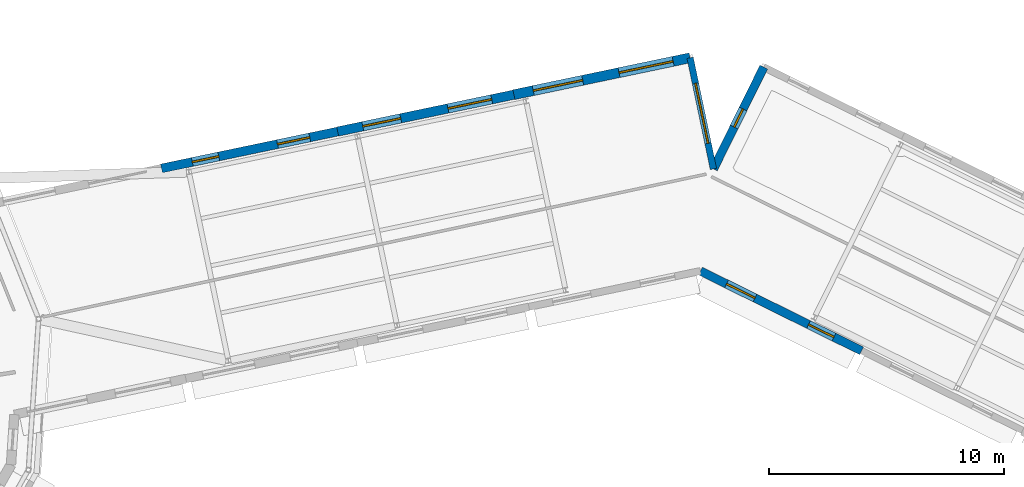
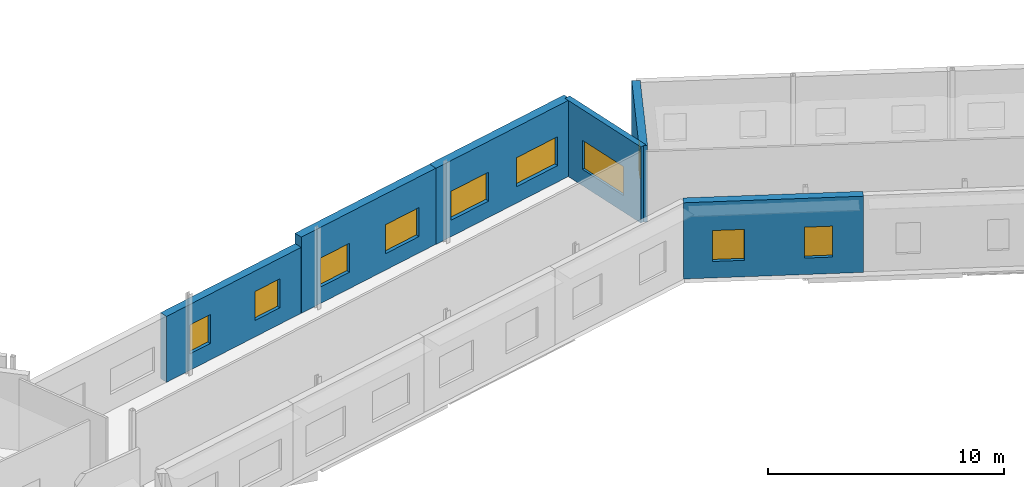
# One storey, part 62 of 90: 10 windows, 6 walls, 10 openings.
"""IFC4 building model written with IfcOpenShell, lengths in metres."""

import ifcopenshell
import ifcopenshell.guid

model = None  # the IFC model being written
_history = None  # IfcOwnerHistory: only IFC2X3 demands one
_inside = {}  # id of a spatial element -> (the spatial element, [elements in it])
_under = {}  # id of a project, library or spatial element -> (it, [spatial elements below it])
_declared = {}  # id of a project -> (the project, [libraries it declares])
_typed = {}  # id of a type object -> (the type object, [elements of that type])
_made_of = {}  # id of a material, layer set ... -> (it, [elements and type objects made of it])


def new_model(schema):
    """Start an empty IFC model of exactly this schema.

    Asked for "IFC4X3", IfcOpenShell would pick the latest addendum, in which some entities
    have other attributes; the version numbers below select the first issue.
    IFC2X3 requires an IfcOwnerHistory on every rooted entity: one is made here for all.
    """
    global model, _history
    if schema == "IFC4X3":
        model = ifcopenshell.file(schema_version=(4, 3, 0, 0))
    else:
        model = ifcopenshell.file(schema=schema)
    _inside.clear()
    _under.clear()
    _declared.clear()
    _typed.clear()
    _made_of.clear()
    _history = None
    if model.schema == "IFC2X3":
        org = make("IfcOrganization", Name="unknown")
        user = make(
            "IfcPersonAndOrganization",
            ThePerson=make("IfcPerson", FamilyName="unknown"),
            TheOrganization=org,
        )
        app = make(
            "IfcApplication",
            ApplicationDeveloper=org,
            Version="unknown",
            ApplicationFullName="unknown",
            ApplicationIdentifier="unknown",
        )
        _history = make(
            "IfcOwnerHistory",
            OwningUser=user,
            OwningApplication=app,
            ChangeAction="ADDED",
            CreationDate=0,
        )
    return model


def make(cls, **values):
    """One entity of the class cls with the attributes given. An attribute that is None is left unset."""
    return model.create_entity(
        cls, **{name: value for name, value in values.items() if value is not None}
    )


def rooted(cls, **values):
    """An entity with a GlobalId (a new one), such as an element, a storey or a relation."""
    return make(cls, GlobalId=ifcopenshell.guid.new(), OwnerHistory=_history, **values)


def si_unit(unit_type, name, prefix=None):
    """IfcSIUnit, for example si_unit("LENGTHUNIT", "METRE", prefix="MILLI")."""
    return make("IfcSIUnit", UnitType=unit_type, Prefix=prefix, Name=name)


def assignment(units):
    """IfcUnitAssignment: the units of a project."""
    return None if units is None else make("IfcUnitAssignment", Units=units)


def point(xyz):
    """IfcCartesianPoint."""
    return None if xyz is None else make("IfcCartesianPoint", Coordinates=xyz)


def direction(xyz):
    """IfcDirection."""
    return None if xyz is None else make("IfcDirection", DirectionRatios=xyz)


def frame(location, z_axis=None, x_axis=None):
    """IfcAxis2Placement3D, a coordinate frame: its origin and axes. An axis left out is left unset."""
    return make(
        "IfcAxis2Placement3D",
        Location=point(location),
        Axis=direction(z_axis),
        RefDirection=direction(x_axis),
    )


def frame_2d(location, x_axis=None):
    """IfcAxis2Placement2D, a coordinate frame in the plane: its origin and x axis."""
    return make(
        "IfcAxis2Placement2D", Location=point(location), RefDirection=direction(x_axis)
    )


def origin():
    """The frame at (0, 0, 0) with its axes left unset."""
    return frame((0.0, 0.0, 0.0))


def place(relative_to, where):
    """IfcLocalPlacement: puts the frame where relative to a parent placement (None: the world)."""
    return make(
        "IfcLocalPlacement", PlacementRelTo=relative_to, RelativePlacement=where
    )


def context(
    kind, dimensions, precision=None, world=None, true_north=None, identifier=None
):
    """IfcGeometricRepresentationContext, for example the 3D "Model" context."""
    return make(
        "IfcGeometricRepresentationContext",
        ContextIdentifier=identifier,
        ContextType=kind,
        CoordinateSpaceDimension=dimensions,
        Precision=precision,
        WorldCoordinateSystem=world,
        TrueNorth=true_north,
    )


def subcontext(parent, identifier, kind, view, scale=None):
    """IfcGeometricRepresentationSubContext, for example "Body" below "Model"."""
    return make(
        "IfcGeometricRepresentationSubContext",
        ContextIdentifier=identifier,
        ContextType=kind,
        ParentContext=parent,
        TargetScale=scale,
        TargetView=view,
    )


def project(units=None, contexts=None):
    """IfcProject with its units and contexts."""
    return rooted(
        "IfcProject",
        Name="project",
        RepresentationContexts=contexts,
        UnitsInContext=assignment(units),
    )


def spatial(cls, under=None, at=None, **own):
    """A site, building, storey or space (cls), placed at a placement, below another one or the project."""
    s = rooted(cls, ObjectPlacement=at, **own)
    if under is not None:
        _under.setdefault(under.id(), (under, []))[1].append(s)
    return s


def profile(cls, at=None, kind="AREA", **sizes):
    """A parametric profile (cls). Its sizes go by their IFC names, for example OverallWidth=200.0."""
    return make(cls, ProfileType=kind, Position=at, **sizes)


def rectangle(**sizes):
    """IfcRectangleProfileDef."""
    return profile("IfcRectangleProfileDef", **sizes)


def extrude(swept, where, along, depth):
    """IfcExtrudedAreaSolid: the profile swept, set in the frame where, extruded along a direction by depth."""
    return make(
        "IfcExtrudedAreaSolid",
        SweptArea=swept,
        Position=where,
        ExtrudedDirection=direction(along),
        Depth=depth,
    )


def shape(context_of_items, identifier, shape_type, items):
    """IfcShapeRepresentation: the items that make up one representation, for example the "Body"."""
    return make(
        "IfcShapeRepresentation",
        ContextOfItems=context_of_items,
        RepresentationIdentifier=identifier,
        RepresentationType=shape_type,
        Items=items,
    )


def material(Name=None, Category=None):
    """IfcMaterial."""
    return make("IfcMaterial", Name=Name, Category=Category)


def layer(
    of_material, thickness, ventilated=None, Name=None, Category=None, Priority=None
):
    """IfcMaterialLayer: one layer of a wall or slab, of a material (None: an air gap)."""
    return make(
        "IfcMaterialLayer",
        Material=of_material,
        LayerThickness=thickness,
        IsVentilated=ventilated,
        Name=Name,
        Category=Category,
        Priority=Priority,
    )


def layer_set(layers, Name=None):
    """IfcMaterialLayerSet."""
    return make("IfcMaterialLayerSet", MaterialLayers=layers, LayerSetName=Name)


def made_of(thing, what):
    """Note that an element or type object is made of a material, layer set ...; save() writes the relation."""
    if what is not None:
        _made_of.setdefault(what.id(), (what, []))[1].append(thing)
    return thing


def type_object(cls, material=None, **own):
    """A type object (cls), such as IfcWallType, which elements share."""
    return made_of(rooted(cls, **own), material)


def element(
    cls,
    number,
    at=None,
    inside=None,
    cuts=None,
    type_object=None,
    material=None,
    context=None,
    identifier="Body",
    shape_type=None,
    held_by="IfcProductDefinitionShape",
    body=None,
    shapes=None,
    **own,
):
    """One element of the class cls, such as IfcWall. Its Tag is "e" and its number.

    at: its placement. inside: the storey or other place that contains it. cuts: it is an
    opening in that element (IfcRelVoidsElement). A single representation is given by context,
    identifier, shape_type and body (its items); several are given by shapes. held_by: the class
    of the entity that holds the representations. save() writes the other relations.
    """
    e = rooted(cls, Tag="e%d" % number, ObjectPlacement=at, **own)
    if body is not None:
        shapes = [shape(context, identifier, shape_type, body)]
    if shapes is not None:
        e.Representation = make(held_by, Representations=shapes)
    if inside is not None:
        _inside.setdefault(inside.id(), (inside, []))[1].append(e)
    if cuts is not None:
        rooted(
            "IfcRelVoidsElement", RelatingBuildingElement=cuts, RelatedOpeningElement=e
        )
    if type_object is not None:
        _typed.setdefault(type_object.id(), (type_object, []))[1].append(e)
    return made_of(e, material)


def fill(opening, filler):
    """IfcRelFillsElement: the door or window that sits in an opening."""
    return rooted(
        "IfcRelFillsElement",
        RelatingOpeningElement=opening,
        RelatedBuildingElement=filler,
    )


def aggregate(whole, parts):
    """IfcRelAggregates: a whole, such as a stair, and the parts it consists of."""
    return rooted("IfcRelAggregates", RelatingObject=whole, RelatedObjects=parts)


def save(model, path):
    """Write the relations noted so far, then the file.

    IfcRelAggregates (storeys below a building ...), IfcRelContainedInSpatialStructure (elements
    in a storey), IfcRelDefinesByType, IfcRelAssociatesMaterial and IfcRelDeclares: one each for
    every whole, place, type object, material and project.
    """
    for whole, parts in _under.values():
        aggregate(whole, parts)
    for where, things in _inside.values():
        rooted(
            "IfcRelContainedInSpatialStructure",
            RelatedElements=things,
            RelatingStructure=where,
        )
    for kind, things in _typed.values():
        rooted("IfcRelDefinesByType", RelatedObjects=things, RelatingType=kind)
    for what, things in _made_of.values():
        rooted("IfcRelAssociatesMaterial", RelatedObjects=things, RelatingMaterial=what)
    for by, libraries in _declared.values():
        rooted("IfcRelDeclares", RelatingContext=by, RelatedDefinitions=libraries)
    model.write(path)


model = new_model("IFC4")

# Units and contexts
model_context = context("Model", 3, precision=1e-05, world=origin(), true_north=direction((0.0, 1.0)))
body_context = subcontext(model_context, "Body", "Model", "MODEL_VIEW")
ifc_project = project(units=[si_unit("LENGTHUNIT", "METRE"), si_unit("AREAUNIT", "SQUARE_METRE"), si_unit("VOLUMEUNIT", "CUBIC_METRE"), si_unit("PLANEANGLEUNIT", "RADIAN"), si_unit("MASSUNIT", "GRAM", prefix="KILO")], contexts=[model_context])

# Site, building, storey
site_placement = place(None, origin())
site = spatial("IfcSite", under=ifc_project, at=site_placement, CompositionType="ELEMENT")
building_placement = place(site_placement, origin())
building = spatial("IfcBuilding", under=site, at=building_placement, Name="Wrenclough Park School", CompositionType="ELEMENT")
storey_placement = place(building_placement, frame((0.0, 0.0, 8.39990234375)))
storey = spatial("IfcBuildingStorey", under=building, at=storey_placement, Name="L02", CompositionType="ELEMENT", Elevation=8.39990234375)

# Wall, opening, window
ifc_material_1 = material(Name="Link wing brick-faced cavity wall Concrete C32/40", Category="masonry")
ifc_layer_1 = layer(ifc_material_1, 0.27490234375)
ifc_layer_set_1 = layer_set([ifc_layer_1], Name="Link wing brick-faced cavity wall Concrete C32/40")
wall_type_1 = type_object("IfcWallType", Name="ENV-EW-275", PredefinedType="SOLIDWALL", material=ifc_layer_set_1)
wall_1_placement = place(storey_placement, frame((124.964599609375, 121.8603515625, 0.0), z_axis=(0.0, 0.0, 1.0), x_axis=(0.20488118306, -0.978786851581, 0.0)))
wall_1 = element("IfcWall", 1, at=wall_1_placement, inside=storey, type_object=wall_type_1, Name="L02 insulated brick external wall 0174", PredefinedType="SOLIDWALL", context=body_context, shape_type="SweptSolid", body=[
    extrude(rectangle(XDim=4.8271484375, YDim=0.27490234375, at=frame_2d((2.41357421875, 0.0))), origin(), (0.0, 0.0, 1.0), 3.940185546875),
])
opening_1_placement = place(wall_1_placement, frame((1.113525390625, 0.0, 0.85009765625)))
opening_1 = element("IfcOpeningElement", 2, at=opening_1_placement, cuts=wall_1, Name="Opening WN-56", PredefinedType="OPENING", context=body_context, shape_type="SweptSolid", body=[
    extrude(rectangle(XDim=2.60009765625, YDim=1.5, at=frame_2d((1.300048828125, 0.75))), frame((0.0, 0.1474609375, 0.0), z_axis=(0.0, -1.0, 0.0), x_axis=(1.0, 0.0, 0.0)), (0.0, 0.0, 1.0), 0.294921875),
])
ifc_material_2 = material(Name="Thermally broken aluminium and double-glazed low-e glass", Category="aluminium")
window_type_1 = type_object("IfcWindowType", Name="ENV-WN-56", PartitioningType="DOUBLE_PANEL_VERTICAL", PredefinedType="WINDOW", material=ifc_material_2)
window_1_placement = place(opening_1_placement, origin())
window_1 = element("IfcWindow", 3, at=window_1_placement, inside=storey, type_object=window_type_1, Name="L02 scheduled facade window 0279", OverallHeight=1.5, OverallWidth=2.60009765625, PartitioningType="SINGLE_PANEL", PredefinedType="WINDOW", context=body_context, shape_type="SweptSolid", body=[
    extrude(rectangle(XDim=2.60009765625, YDim=1.5, at=frame_2d((1.300048828125, 0.75))), frame((0.0, 0.030029296875, 0.0), z_axis=(0.0, -1.0, 0.0), x_axis=(1.0, 0.0, 0.0)), (0.0, 0.0, 1.0), 0.06005859375),
])
fill(opening_1, window_1)

# Wall, openings, windows
ifc_material_3 = material(Name="Faceted courtyard brick-cavity wall Concrete C35/45", Category="masonry")
ifc_layer_2 = layer(ifc_material_3, 0.364990234375)
ifc_layer_set_2 = layer_set([ifc_layer_2], Name="Faceted courtyard brick-cavity wall Concrete C35/45")
wall_type_2 = type_object("IfcWallType", Name="ENV-EW-365", PredefinedType="SOLIDWALL", material=ifc_layer_set_2)
wall_2_placement = place(storey_placement, frame((132.248779296875, 109.4091796875, 0.0), z_axis=(0.0, 0.0, 1.0), x_axis=(-0.896260326182, 0.443528384336, 0.0)))
wall_2 = element("IfcWall", 4, at=wall_2_placement, inside=storey, type_object=wall_type_2, Name="L02 insulated brick external wall 0151", PredefinedType="SOLIDWALL", context=body_context, shape_type="SweptSolid", body=[
    extrude(rectangle(XDim=7.6396484375, YDim=0.364990234375, at=frame_2d((3.81982421875, 0.0))), origin(), (0.0, 0.0, 1.0), 3.940185546875),
])
opening_2_placement = place(wall_2_placement, frame((1.31005859375, 0.0, 0.85009765625)))
opening_2 = element("IfcOpeningElement", 5, at=opening_2_placement, cuts=wall_2, Name="Opening WN-15", PredefinedType="OPENING", context=body_context, shape_type="SweptSolid", body=[
    extrude(rectangle(XDim=1.199951171875, YDim=1.60009765625, at=frame_2d((0.60009765625, 0.800048828125))), frame((0.0, 0.1923828125, 0.0), z_axis=(0.0, -1.0, 0.0), x_axis=(1.0, 0.0, 0.0)), (0.0, 0.0, 1.0), 0.385009765625),
])
opening_3_placement = place(wall_2_placement, frame((5.054931640625, 0.0, 0.85009765625)))
opening_3 = element("IfcOpeningElement", 6, at=opening_3_placement, cuts=wall_2, Name="Opening WN-16", PredefinedType="OPENING", context=body_context, shape_type="SweptSolid", body=[
    extrude(rectangle(XDim=1.35009765625, YDim=1.60009765625, at=frame_2d((0.675048828125, 0.800048828125))), frame((0.0, 0.1923828125, 0.0), z_axis=(0.0, -1.0, 0.0), x_axis=(1.0, 0.0, 0.0)), (0.0, 0.0, 1.0), 0.385009765625),
])
window_type_2 = type_object("IfcWindowType", Name="ENV-WN-15", PartitioningType="SINGLE_PANEL", PredefinedType="WINDOW", material=ifc_material_2)
window_2_placement = place(opening_2_placement, origin())
window_2 = element("IfcWindow", 7, at=window_2_placement, inside=storey, type_object=window_type_2, Name="L02 scheduled facade window 0238", OverallHeight=1.60009765625, OverallWidth=1.199951171875, PartitioningType="SINGLE_PANEL", PredefinedType="WINDOW", context=body_context, shape_type="SweptSolid", body=[
    extrude(rectangle(XDim=1.199951171875, YDim=1.60009765625, at=frame_2d((0.60009765625, 0.800048828125))), frame((0.0, 0.030029296875, 0.0), z_axis=(0.0, -1.0, 0.0), x_axis=(1.0, 0.0, 0.0)), (0.0, 0.0, 1.0), 0.06005859375),
])
fill(opening_2, window_2)
window_type_3 = type_object("IfcWindowType", Name="ENV-WN-16", PartitioningType="SINGLE_PANEL", PredefinedType="WINDOW", material=ifc_material_2)
window_3_placement = place(opening_3_placement, origin())
window_3 = element("IfcWindow", 8, at=window_3_placement, inside=storey, type_object=window_type_3, Name="L02 scheduled facade window 0239", OverallHeight=1.60009765625, OverallWidth=1.35009765625, PartitioningType="SINGLE_PANEL", PredefinedType="WINDOW", context=body_context, shape_type="SweptSolid", body=[
    extrude(rectangle(XDim=1.35009765625, YDim=1.60009765625, at=frame_2d((0.675048828125, 0.800048828125))), frame((0.0, 0.030029296875, 0.0), z_axis=(0.0, -1.0, 0.0), x_axis=(1.0, 0.0, 0.0)), (0.0, 0.0, 1.0), 0.06005859375),
])
fill(opening_3, window_3)

# Wall, opening, window
wall_3_placement = place(storey_placement, frame((125.95361328125, 117.135498046875, 0.0), z_axis=(0.0, 0.0, 1.0), x_axis=(0.443507546111, 0.896270638001, 0.0)))
wall_3 = element("IfcWall", 9, at=wall_3_placement, inside=storey, type_object=wall_type_2, Name="L02 insulated brick external wall 0175", PredefinedType="SOLIDWALL", context=body_context, shape_type="SweptSolid", body=[
    extrude(rectangle(XDim=4.8271484375, YDim=0.364990234375, at=frame_2d((2.41357421875, 0.0))), origin(), (0.0, 0.0, 1.0), 3.940185546875),
])
opening_4_placement = place(wall_3_placement, frame((1.988525390625, 0.0, 0.85009765625)))
opening_4 = element("IfcOpeningElement", 10, at=opening_4_placement, cuts=wall_3, Name="Opening WN-01", PredefinedType="OPENING", context=body_context, shape_type="SweptSolid", body=[
    extrude(rectangle(XDim=0.85009765625, YDim=1.39990234375, at=frame_2d((0.425048828125, 0.699951171875))), frame((0.0, 0.1923828125, 0.0), z_axis=(0.0, -1.0, 0.0), x_axis=(1.0, 0.0, 0.0)), (0.0, 0.0, 1.0), 0.385009765625),
])
window_type_4 = type_object("IfcWindowType", Name="ENV-WN-01", PartitioningType="SINGLE_PANEL", PredefinedType="WINDOW", material=ifc_material_2)
window_4_placement = place(opening_4_placement, origin())
window_4 = element("IfcWindow", 11, at=window_4_placement, inside=storey, type_object=window_type_4, Name="L02 scheduled facade window 0280", OverallHeight=1.39990234375, OverallWidth=0.85009765625, PartitioningType="SINGLE_PANEL", PredefinedType="WINDOW", context=body_context, shape_type="SweptSolid", body=[
    extrude(rectangle(XDim=0.85009765625, YDim=1.39990234375, at=frame_2d((0.425048828125, 0.699951171875))), frame((0.0, 0.030029296875, 0.0), z_axis=(0.0, -1.0, 0.0), x_axis=(1.0, 0.0, 0.0)), (0.0, 0.0, 1.0), 0.06005859375),
])
fill(opening_4, window_4)

# Wall, openings, windows
ifc_material_4 = material(Name="Manchester multi-stock brick and Concrete C35/45 inner leaf", Category="masonry")
ifc_layer_3 = layer(ifc_material_4, 0.3798828125)
ifc_layer_set_3 = layer_set([ifc_layer_3], Name="Manchester multi-stock brick and Concrete C35/45 inner leaf")
wall_type_3 = type_object("IfcWallType", Name="ENV-EW-380", PredefinedType="SOLIDWALL", material=ifc_layer_set_3)
wall_4_placement = place(storey_placement, frame((102.49609375, 117.15771484375, 0.0), z_axis=(0.0, 0.0, 1.0), x_axis=(0.978795534935, 0.204839695351, 0.0)))
wall_4 = element("IfcWall", 12, at=wall_4_placement, inside=storey, type_object=wall_type_3, Name="L02 insulated brick external wall 0171", PredefinedType="SOLIDWALL", context=body_context, shape_type="SweptSolid", body=[
    extrude(rectangle(XDim=7.65185546875, YDim=0.3798828125, at=frame_2d((3.825927734375, 0.0))), origin(), (0.0, 0.0, 1.0), 3.408935546875),
])
opening_5_placement = place(wall_4_placement, frame((1.337890625, 0.0, 0.85009765625)))
opening_5 = element("IfcOpeningElement", 13, at=opening_5_placement, cuts=wall_4, Name="Opening WN-50", PredefinedType="OPENING", context=body_context, shape_type="SweptSolid", body=[
    extrude(rectangle(XDim=1.14990234375, YDim=1.5, at=frame_2d((0.574951171875, 0.75))), frame((0.0, 0.199951171875, 0.0), z_axis=(0.0, -1.0, 0.0), x_axis=(1.0, 0.0, 0.0)), (0.0, 0.0, 1.0), 0.39990234375),
])
opening_6_placement = place(wall_4_placement, frame((5.038818359375, 0.0, 0.85009765625)))
opening_6 = element("IfcOpeningElement", 14, at=opening_6_placement, cuts=wall_4, Name="Opening WN-51", PredefinedType="OPENING", context=body_context, shape_type="SweptSolid", body=[
    extrude(rectangle(XDim=1.39990234375, YDim=1.5, at=frame_2d((0.699951171875, 0.75))), frame((0.0, 0.199951171875, 0.0), z_axis=(0.0, -1.0, 0.0), x_axis=(1.0, 0.0, 0.0)), (0.0, 0.0, 1.0), 0.39990234375),
])
window_type_5 = type_object("IfcWindowType", Name="ENV-WN-50", PartitioningType="SINGLE_PANEL", PredefinedType="WINDOW", material=ifc_material_2)
window_5_placement = place(opening_5_placement, origin())
window_5 = element("IfcWindow", 15, at=window_5_placement, inside=storey, type_object=window_type_5, Name="L02 scheduled facade window 0273", OverallHeight=1.5, OverallWidth=1.14990234375, PartitioningType="SINGLE_PANEL", PredefinedType="WINDOW", context=body_context, shape_type="SweptSolid", body=[
    extrude(rectangle(XDim=1.14990234375, YDim=1.5, at=frame_2d((0.574951171875, 0.75))), frame((0.0, 0.030029296875, 0.0), z_axis=(0.0, -1.0, 0.0), x_axis=(1.0, 0.0, 0.0)), (0.0, 0.0, 1.0), 0.06005859375),
])
fill(opening_5, window_5)
window_type_6 = type_object("IfcWindowType", Name="ENV-WN-51", PartitioningType="SINGLE_PANEL", PredefinedType="WINDOW", material=ifc_material_2)
window_6_placement = place(opening_6_placement, origin())
window_6 = element("IfcWindow", 16, at=window_6_placement, inside=storey, type_object=window_type_6, Name="L02 scheduled facade window 0274", OverallHeight=1.5, OverallWidth=1.39990234375, PartitioningType="SINGLE_PANEL", PredefinedType="WINDOW", context=body_context, shape_type="SweptSolid", body=[
    extrude(rectangle(XDim=1.39990234375, YDim=1.5, at=frame_2d((0.699951171875, 0.75))), frame((0.0, 0.030029296875, 0.0), z_axis=(0.0, -1.0, 0.0), x_axis=(1.0, 0.0, 0.0)), (0.0, 0.0, 1.0), 0.06005859375),
])
fill(opening_6, window_6)

ifc_material_5 = material(Name="Staffordshire blue-grey brick and Concrete C40/50 acoustic leaf", Category="masonry")
ifc_layer_4 = layer(ifc_material_5, 0.39990234375)
ifc_layer_set_4 = layer_set([ifc_layer_4], Name="Staffordshire blue-grey brick and Concrete C40/50 acoustic leaf")
wall_type_4 = type_object("IfcWallType", Name="ENV-EW-400", PredefinedType="SOLIDWALL", material=ifc_layer_set_4)
wall_5_placement = place(storey_placement, frame((109.985595703125, 118.72509765625, 0.0), z_axis=(0.0, 0.0, 1.0), x_axis=(0.978789137369, 0.204870262772, 0.0)))
wall_5 = element("IfcWall", 17, at=wall_5_placement, inside=storey, type_object=wall_type_4, Name="L02 insulated brick external wall 0172", PredefinedType="SOLIDWALL", context=body_context, shape_type="SweptSolid", body=[
    extrude(rectangle(XDim=7.65185546875, YDim=0.39990234375, at=frame_2d((3.825927734375, 0.0))), origin(), (0.0, 0.0, 1.0), 3.940185546875),
])
opening_7_placement = place(wall_5_placement, frame((1.087890625, 0.0, 0.85009765625)))
opening_7 = element("IfcOpeningElement", 18, at=opening_7_placement, cuts=wall_5, Name="Opening WN-52", PredefinedType="OPENING", context=body_context, shape_type="SweptSolid", body=[
    extrude(rectangle(XDim=1.64990234375, YDim=1.5, at=frame_2d((0.824951171875, 0.75))), frame((0.0, 0.2099609375, 0.0), z_axis=(0.0, -1.0, 0.0), x_axis=(1.0, 0.0, 0.0)), (0.0, 0.0, 1.0), 0.419921875),
])
opening_8_placement = place(wall_5_placement, frame((4.788818359375, 0.0, 0.85009765625)))
opening_8 = element("IfcOpeningElement", 19, at=opening_8_placement, cuts=wall_5, Name="Opening WN-53", PredefinedType="OPENING", context=body_context, shape_type="SweptSolid", body=[
    extrude(rectangle(XDim=1.89990234375, YDim=1.5, at=frame_2d((0.949951171875, 0.75))), frame((0.0, 0.2099609375, 0.0), z_axis=(0.0, -1.0, 0.0), x_axis=(1.0, 0.0, 0.0)), (0.0, 0.0, 1.0), 0.419921875),
])
window_type_7 = type_object("IfcWindowType", Name="ENV-WN-52", PartitioningType="DOUBLE_PANEL_VERTICAL", PredefinedType="WINDOW", material=ifc_material_2)
window_7_placement = place(opening_7_placement, origin())
window_7 = element("IfcWindow", 20, at=window_7_placement, inside=storey, type_object=window_type_7, Name="L02 scheduled facade window 0275", OverallHeight=1.5, OverallWidth=1.64990234375, PartitioningType="SINGLE_PANEL", PredefinedType="WINDOW", context=body_context, shape_type="SweptSolid", body=[
    extrude(rectangle(XDim=1.64990234375, YDim=1.5, at=frame_2d((0.824951171875, 0.75))), frame((0.0, 0.030029296875, 0.0), z_axis=(0.0, -1.0, 0.0), x_axis=(1.0, 0.0, 0.0)), (0.0, 0.0, 1.0), 0.06005859375),
])
fill(opening_7, window_7)
window_type_8 = type_object("IfcWindowType", Name="ENV-WN-53", PartitioningType="DOUBLE_PANEL_VERTICAL", PredefinedType="WINDOW", material=ifc_material_2)
window_8_placement = place(opening_8_placement, origin())
window_8 = element("IfcWindow", 21, at=window_8_placement, inside=storey, type_object=window_type_8, Name="L02 scheduled facade window 0276", OverallHeight=1.5, OverallWidth=1.89990234375, PartitioningType="SINGLE_PANEL", PredefinedType="WINDOW", context=body_context, shape_type="SweptSolid", body=[
    extrude(rectangle(XDim=1.89990234375, YDim=1.5, at=frame_2d((0.949951171875, 0.75))), frame((0.0, 0.030029296875, 0.0), z_axis=(0.0, -1.0, 0.0), x_axis=(1.0, 0.0, 0.0)), (0.0, 0.0, 1.0), 0.06005859375),
])
fill(opening_8, window_8)

ifc_material_6 = material(Name="Insulated brick-clad sports hall wall Concrete C40/50", Category="masonry")
ifc_layer_5 = layer(ifc_material_6, 0.425048828125)
ifc_layer_set_5 = layer_set([ifc_layer_5], Name="Insulated brick-clad sports hall wall Concrete C40/50")
wall_type_5 = type_object("IfcWallType", Name="ENV-EW-425", PredefinedType="SOLIDWALL", material=ifc_layer_set_5)
wall_6_placement = place(storey_placement, frame((117.47509765625, 120.292724609375, 0.0), z_axis=(0.0, 0.0, 1.0), x_axis=(0.978789137369, 0.204870262772, 0.0)))
wall_6 = element("IfcWall", 22, at=wall_6_placement, inside=storey, type_object=wall_type_5, Name="L02 insulated brick external wall 0173", PredefinedType="SOLIDWALL", context=body_context, shape_type="SweptSolid", body=[
    extrude(rectangle(XDim=7.65185546875, YDim=0.425048828125, at=frame_2d((3.825927734375, 0.0))), origin(), (0.0, 0.0, 1.0), 3.940185546875),
])
opening_9_placement = place(wall_6_placement, frame((0.837890625, 0.0, 0.85009765625)))
opening_9 = element("IfcOpeningElement", 23, at=opening_9_placement, cuts=wall_6, Name="Opening WN-54", PredefinedType="OPENING", context=body_context, shape_type="SweptSolid", body=[
    extrude(rectangle(XDim=2.14990234375, YDim=1.5, at=frame_2d((1.074951171875, 0.75))), frame((0.0, 0.222412109375, 0.0), z_axis=(0.0, -1.0, 0.0), x_axis=(1.0, 0.0, 0.0)), (0.0, 0.0, 1.0), 0.445068359375),
])
opening_10_placement = place(wall_6_placement, frame((4.563720703125, 0.0, 0.85009765625)))
opening_10 = element("IfcOpeningElement", 24, at=opening_10_placement, cuts=wall_6, Name="Opening WN-55", PredefinedType="OPENING", context=body_context, shape_type="SweptSolid", body=[
    extrude(rectangle(XDim=2.35009765625, YDim=1.5, at=frame_2d((1.175048828125, 0.75))), frame((0.0, 0.222412109375, 0.0), z_axis=(0.0, -1.0, 0.0), x_axis=(1.0, 0.0, 0.0)), (0.0, 0.0, 1.0), 0.445068359375),
])
window_type_9 = type_object("IfcWindowType", Name="ENV-WN-54", PartitioningType="DOUBLE_PANEL_VERTICAL", PredefinedType="WINDOW", material=ifc_material_2)
window_9_placement = place(opening_9_placement, origin())
window_9 = element("IfcWindow", 25, at=window_9_placement, inside=storey, type_object=window_type_9, Name="L02 scheduled facade window 0277", OverallHeight=1.5, OverallWidth=2.14990234375, PartitioningType="SINGLE_PANEL", PredefinedType="WINDOW", context=body_context, shape_type="SweptSolid", body=[
    extrude(rectangle(XDim=2.14990234375, YDim=1.5, at=frame_2d((1.074951171875, 0.75))), frame((0.0, 0.030029296875, 0.0), z_axis=(0.0, -1.0, 0.0), x_axis=(1.0, 0.0, 0.0)), (0.0, 0.0, 1.0), 0.06005859375),
])
fill(opening_9, window_9)
window_type_10 = type_object("IfcWindowType", Name="ENV-WN-55", PartitioningType="DOUBLE_PANEL_VERTICAL", PredefinedType="WINDOW", material=ifc_material_2)
window_10_placement = place(opening_10_placement, origin())
window_10 = element("IfcWindow", 26, at=window_10_placement, inside=storey, type_object=window_type_10, Name="L02 scheduled facade window 0278", OverallHeight=1.5, OverallWidth=2.35009765625, PartitioningType="SINGLE_PANEL", PredefinedType="WINDOW", context=body_context, shape_type="SweptSolid", body=[
    extrude(rectangle(XDim=2.35009765625, YDim=1.5, at=frame_2d((1.175048828125, 0.75))), frame((0.0, 0.030029296875, 0.0), z_axis=(0.0, -1.0, 0.0), x_axis=(1.0, 0.0, 0.0)), (0.0, 0.0, 1.0), 0.06005859375),
])
fill(opening_10, window_10)

save(model, "model.ifc")
